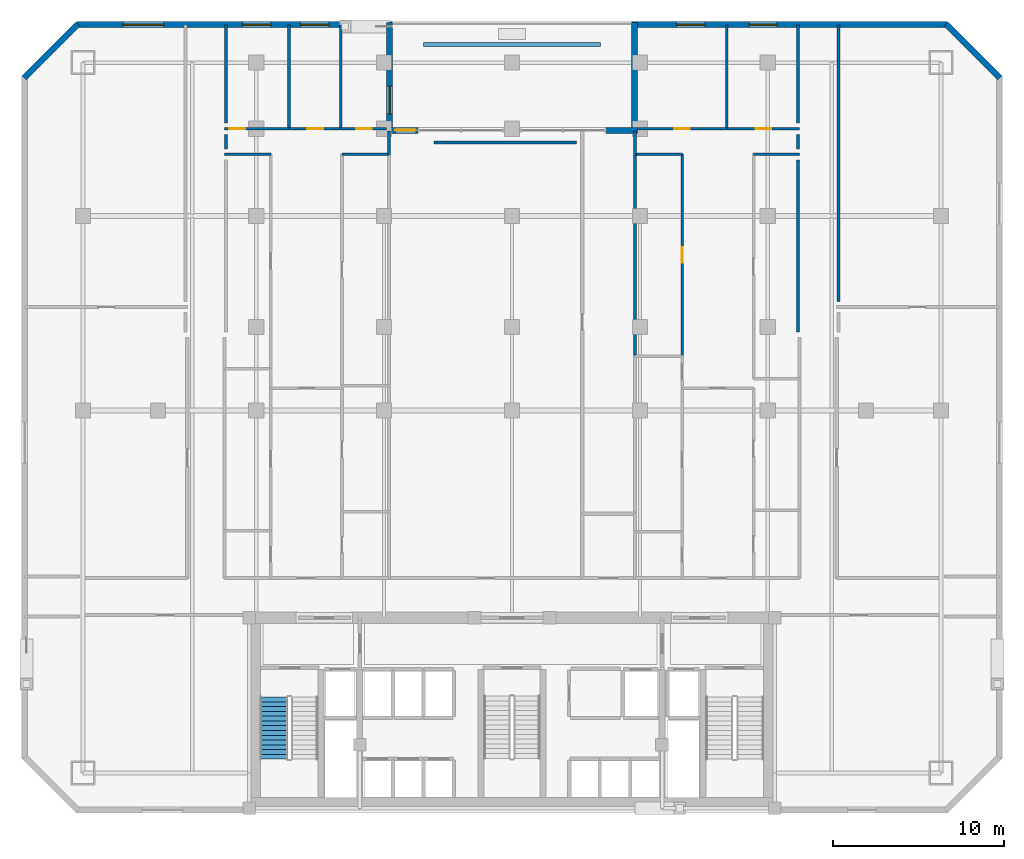
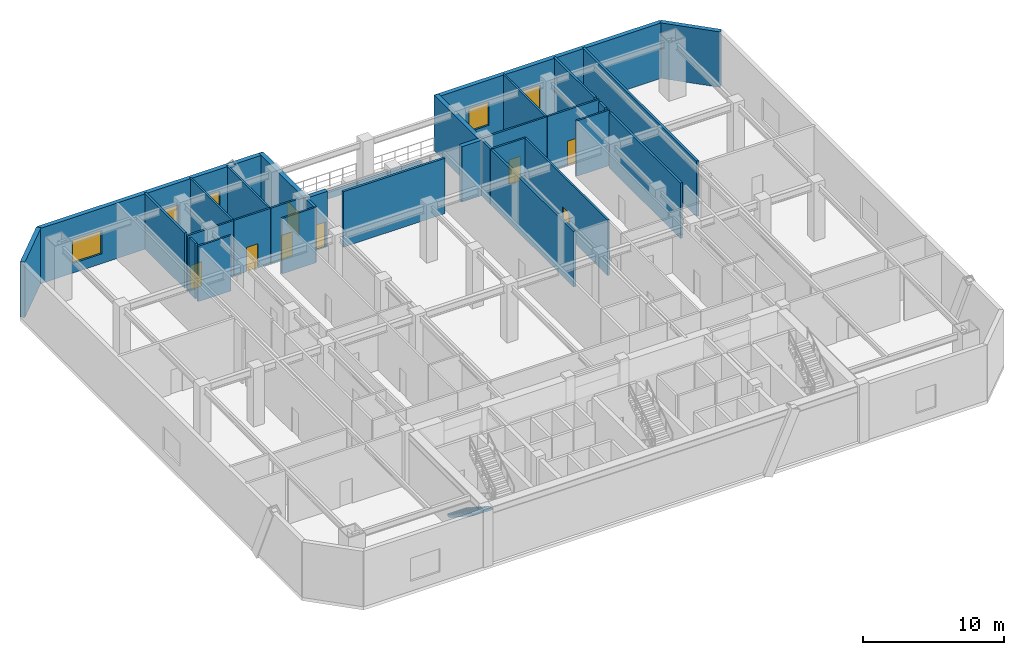
# One storey, part 10 of 12: 32 walls, 7 doors, 6 windows, 1 stair flight, 13 openings, 1 element without a shape of its own.
"""IFC4 building model written with IfcOpenShell, lengths in metres."""

from ifc_helpers import new_model, si_unit, direction, frame, frame_2d, origin, place, context, subcontext, project, spatial, polyline, rectangle, outline, extrude, material, layer, layer_set, type_object, element, fill, aggregate, save


model = new_model("IFC4")

# Units and contexts
model_context = context("Model", 3, precision=1e-05, world=origin(), true_north=direction((0.0, 1.0)))
body_context = subcontext(model_context, "Body", "Model", "MODEL_VIEW")
ifc_project = project(units=[si_unit("LENGTHUNIT", "METRE"), si_unit("AREAUNIT", "SQUARE_METRE"), si_unit("VOLUMEUNIT", "CUBIC_METRE"), si_unit("PLANEANGLEUNIT", "RADIAN"), si_unit("MASSUNIT", "GRAM", prefix="KILO")], contexts=[model_context])

# Site, building, storey
site_placement = place(None, origin())
site = spatial("IfcSite", under=ifc_project, at=site_placement, CompositionType="ELEMENT")
building_placement = place(site_placement, origin())
building = spatial("IfcBuilding", under=site, at=building_placement, Name="Ventersveld Concourse Tower", CompositionType="ELEMENT")
storey_placement = place(building_placement, frame((0.0, 0.0, 76.0)))
storey = spatial("IfcBuildingStorey", under=building, at=storey_placement, Name="L18", CompositionType="ELEMENT", Elevation=76.0)

# Walls
ifc_material_1 = material(Name="Fire-rated autoclaved aerated masonry blockwork", Category="masonry")
ifc_layer_1 = layer(ifc_material_1, 0.179931640625)
ifc_layer_set_1 = layer_set([ifc_layer_1], Name="Fire-rated autoclaved aerated masonry blockwork")
wall_type_1 = type_object("IfcWallType", Name="WL-CORR-180", PredefinedType="PARTITIONING", material=ifc_layer_set_1)
wall_1_placement = place(storey_placement, frame((47.8798828125, 29.9951171875, 0.0), z_axis=(0.0, 0.0, 1.0), x_axis=(0.0, 1.0, 0.0)))
element("IfcWall", 1, at=wall_1_placement, inside=storey, type_object=wall_type_1, Name="L18 Room Enclosure Wall SP-L18-NELNG2", PredefinedType="PARTITIONING", context=body_context, shape_type="SweptSolid", body=[
    extrude(rectangle(XDim=16.19482421875, YDim=0.179931640625, at=frame_2d((8.097412109375, 0.0))), origin(), (0.0, 0.0, 1.0), 4.800048828125),
])
wall_2_placement = place(storey_placement, frame((24.1865234375, 39.320068359375, 0.0), z_axis=(0.0, 0.0, 1.0), x_axis=(1.0, 0.0, 0.0)))
element("IfcWall", 2, at=wall_2_placement, inside=storey, type_object=wall_type_1, Name="L18 Room Enclosure Wall SP-L18-SGLNG", PredefinedType="PARTITIONING", context=body_context, shape_type="SweptSolid", body=[
    extrude(rectangle(XDim=8.348388671875, YDim=0.179931640625, at=frame_2d((4.17431640625, 0.0))), origin(), (0.0, 0.0, 1.0), 4.800048828125),
])
wall_3_placement = place(storey_placement, frame((11.97998046875, 38.945068359375, 0.0), z_axis=(0.0, 0.0, 1.0), x_axis=(0.0, 1.0, 0.0)))
element("IfcWall", 3, at=wall_3_placement, inside=storey, type_object=wall_type_1, Name="L18 Room Enclosure Wall SP-L18-18CW-LIV", PredefinedType="PARTITIONING", context=body_context, shape_type="SweptSolid", body=[
    extrude(rectangle(XDim=0.849853515625, YDim=0.179931640625, at=frame_2d((0.4248046875, 0.0))), origin(), (0.0, 0.0, 1.0), 4.800048828125),
])
wall_4_placement = place(storey_placement, frame((11.97998046875, 40.445068359375, 0.0), z_axis=(0.0, 0.0, 1.0), x_axis=(0.0, 1.0, 0.0)))
element("IfcWall", 4, at=wall_4_placement, inside=storey, type_object=wall_type_1, Name="L18 Room Enclosure Wall SP-L18-18CW-BR1", PredefinedType="PARTITIONING", context=body_context, shape_type="SweptSolid", body=[
    extrude(rectangle(XDim=5.744873046875, YDim=0.179931640625, at=frame_2d((2.87255859375, 0.0))), origin(), (0.0, 0.0, 1.0), 4.800048828125),
])
wall_5_placement = place(storey_placement, frame((45.52001953125, 39.794921875, 0.0), z_axis=(0.0, 0.0, 1.0), x_axis=(0.0, -1.0, 0.0)))
element("IfcWall", 5, at=wall_5_placement, inside=storey, type_object=wall_type_1, Name="L18 Room Enclosure Wall SP-L18-18CE-LIV", PredefinedType="PARTITIONING", context=body_context, shape_type="SweptSolid", body=[
    extrude(rectangle(XDim=0.849853515625, YDim=0.179931640625, at=frame_2d((0.4248046875, 0.0))), origin(), (0.0, 0.0, 1.0), 4.800048828125),
])
wall_6_placement = place(storey_placement, frame((45.52001953125, 38.294921875, 0.0), z_axis=(0.0, 0.0, 1.0), x_axis=(0.0, -1.0, 0.0)))
element("IfcWall", 6, at=wall_6_placement, inside=storey, type_object=wall_type_1, Name="L18 Room Enclosure Wall SP-L18-18CE-DENS", PredefinedType="PARTITIONING", context=body_context, shape_type="SweptSolid", body=[
    extrude(rectangle(XDim=10.0849609375, YDim=0.179931640625, at=frame_2d((5.04248046875, 0.0))), origin(), (0.0, 0.0, 1.0), 4.800048828125),
])
wall_7_placement = place(storey_placement, frame((45.52001953125, 46.18994140625, 0.0), z_axis=(0.0, 0.0, 1.0), x_axis=(0.0, -1.0, 0.0)))
element("IfcWall", 7, at=wall_7_placement, inside=storey, type_object=wall_type_1, Name="L18 Room Enclosure Wall SP-L18-18CE-BR2", PredefinedType="PARTITIONING", context=body_context, shape_type="SweptSolid", body=[
    extrude(rectangle(XDim=5.744873046875, YDim=0.179931640625, at=frame_2d((2.87255859375, 0.0))), origin(), (0.0, 0.0, 1.0), 4.800048828125),
])
ifc_layer_2 = layer(ifc_material_1, 0.199951171875)
ifc_layer_set_2 = layer_set([ifc_layer_2], Name="Fire-rated autoclaved aerated masonry blockwork")
wall_type_2 = type_object("IfcWallType", Name="WL-DEMISE-200", PredefinedType="PARTITIONING", material=ifc_layer_set_2)
for number, where, z_axis, x_axis, name in (
    (8, (21.5400390625, 38.614990234375, 0.0), (0.0, 0.0, 1.0), (0.0, 1.0, 0.0), "L18 Interior Partition SP-L18-SGLNG-SP-L18-18CW-LIV"),
    (9, (35.9599609375, 38.614990234375, 0.0), (0.0, 0.0, 1.0), (0.0, 1.0, 0.0), "L18 Interior Partition SP-L18-SGSTD-SP-L18-18CE-LIV"),
):
    element("IfcWall", number, at=place(storey_placement, frame(where, z_axis=z_axis, x_axis=x_axis)), inside=storey, type_object=wall_type_2, Name=name, PredefinedType="PARTITIONING", context=body_context, shape_type="SweptSolid", body=[
        extrude(rectangle(XDim=1.375, YDim=0.199951171875, at=frame_2d((0.6875, 0.0))), origin(), (0.0, 0.0, 1.0), 4.800048828125),
    ])
wall_8_placement = place(storey_placement, frame((35.9599609375, 26.8134765625, 0.0), z_axis=(0.0, 0.0, 1.0), x_axis=(0.0, 1.0, 0.0)))
element("IfcWall", 10, at=wall_8_placement, inside=storey, type_object=wall_type_2, Name="L18 Interior Partition SP-L18-SGSTD-SP-L18-18CE-SEML2", PredefinedType="PARTITIONING", context=body_context, shape_type="SweptSolid", body=[
    extrude(rectangle(XDim=11.771484375, YDim=0.199951171875, at=frame_2d((5.8857421875, 0.0))), origin(), (0.0, 0.0, 1.0), 4.800048828125),
])
ifc_material_2 = material(Name="Autoclaved aerated masonry blockwork", Category="masonry")
ifc_layer_3 = layer(ifc_material_2, 0.14990234375)
ifc_layer_set_3 = layer_set([ifc_layer_3], Name="Autoclaved aerated masonry blockwork")
wall_type_3 = type_object("IfcWallType", Name="WL-INT-150", PredefinedType="PARTITIONING", material=ifc_layer_set_3)
wall_9_placement = place(storey_placement, frame((11.885009765625, 38.6201171875, 0.0), z_axis=(0.0, 0.0, 1.0), x_axis=(1.0, 0.0, 0.0)))
element("IfcWall", 11, at=wall_9_placement, inside=storey, type_object=wall_type_3, Name="L18 Interior Partition SP-L18-18CW-LIV-SP-L18-18CW-SEML2", PredefinedType="PARTITIONING", context=body_context, shape_type="SweptSolid", body=[
    extrude(rectangle(XDim=2.727294921875, YDim=0.14990234375, at=frame_2d((1.36376953125, 0.0))), origin(), (0.0, 0.0, 1.0), 4.800048828125),
])
wall_10_placement = place(storey_placement, frame((18.7783203125, 38.6201171875, 0.0), z_axis=(0.0, 0.0, 1.0), x_axis=(1.0, 0.0, 0.0)))
element("IfcWall", 12, at=wall_10_placement, inside=storey, type_object=wall_type_3, Name="L18 Interior Partition SP-L18-18CW-LIV-SP-L18-18CW-DENS", PredefinedType="PARTITIONING", context=body_context, shape_type="SweptSolid", body=[
    extrude(rectangle(XDim=2.7666015625, YDim=0.14990234375, at=frame_2d((1.38330078125, 0.0))), origin(), (0.0, 0.0, 1.0), 4.800048828125),
])

# Wall, opening, door
wall_11_placement = place(storey_placement, frame((11.885009765625, 40.1201171875, 0.0), z_axis=(0.0, 0.0, 1.0), x_axis=(1.0, 0.0, 0.0)))
wall_11 = element("IfcWall", 13, at=wall_11_placement, inside=storey, type_object=wall_type_3, Name="L18 Interior Partition SP-L18-18CW-LIV-SP-L18-18CW-BR1", PredefinedType="PARTITIONING", context=body_context, shape_type="SweptSolid", body=[
    extrude(rectangle(XDim=3.7958984375, YDim=0.14990234375, at=frame_2d((1.89794921875, 0.0))), origin(), (0.0, 0.0, 1.0), 4.800048828125),
])
opening_1_placement = place(wall_11_placement, frame((0.29931640625, 0.0, 0.0)))
opening_1 = element("IfcOpeningElement", 14, at=opening_1_placement, cuts=wall_11, Name="Opening ID1", PredefinedType="OPENING", context=body_context, shape_type="SweptSolid", body=[
    extrude(rectangle(XDim=0.919921875, YDim=2.10009765625, at=frame_2d((0.4599609375, 1.050048828125))), frame((0.0, 0.0849609375, 0.0), z_axis=(0.0, -1.0, 0.0), x_axis=(1.0, 0.0, 0.0)), (0.0, 0.0, 1.0), 0.169921875),
])
ifc_material_3 = material(Name="Solid-core hardwood veneer timber", Category="wood")
door_type_1 = type_object("IfcDoorType", Name="DR-ROOM-092", OperationType="NOTDEFINED", PredefinedType="DOOR", material=ifc_material_3)
door_1_placement = place(opening_1_placement, origin())
door_1 = element("IfcDoor", 15, at=door_1_placement, inside=storey, type_object=door_type_1, Name="L18 Interior Door SP-L18-18CW-LIV to SP-L18-18CW-BR1 (D-L18-0861)", OperationType="SINGLE_SWING_LEFT", OverallHeight=2.10009765625, OverallWidth=0.919921875, PredefinedType="DOOR", context=body_context, shape_type="SweptSolid", body=[
    extrude(rectangle(XDim=0.919921875, YDim=2.10009765625, at=frame_2d((0.4599609375, 1.050048828125))), frame((0.0, 0.02490234375, 0.0), z_axis=(0.0, -1.0, 0.0), x_axis=(1.0, 0.0, 0.0)), (0.0, 0.0, 1.0), 0.050048828125),
])
fill(opening_1, door_1)

wall_12_placement = place(storey_placement, frame((15.7109375, 40.1201171875, 0.0), z_axis=(0.0, 0.0, 1.0), x_axis=(1.0, 0.0, 0.0)))
wall_12 = element("IfcWall", 16, at=wall_12_placement, inside=storey, type_object=wall_type_3, Name="L18 Interior Partition SP-L18-18CW-LIV-SP-L18-18CW-BR2", PredefinedType="PARTITIONING", context=body_context, shape_type="SweptSolid", body=[
    extrude(rectangle(XDim=2.9970703125, YDim=0.14990234375, at=frame_2d((1.49853515625, 0.0))), origin(), (0.0, 0.0, 1.0), 4.800048828125),
])
opening_2_placement = place(wall_12_placement, frame((1.03857421875, 0.0, 0.0)))
opening_2 = element("IfcOpeningElement", 17, at=opening_2_placement, cuts=wall_12, Name="Opening ID1", PredefinedType="OPENING", context=body_context, shape_type="SweptSolid", body=[
    extrude(rectangle(XDim=0.919921875, YDim=2.10009765625, at=frame_2d((0.4599609375, 1.050048828125))), frame((0.0, 0.0849609375, 0.0), z_axis=(0.0, -1.0, 0.0), x_axis=(1.0, 0.0, 0.0)), (0.0, 0.0, 1.0), 0.169921875),
])
door_2_placement = place(opening_2_placement, origin())
door_2 = element("IfcDoor", 18, at=door_2_placement, inside=storey, type_object=door_type_1, Name="L18 Interior Door SP-L18-18CW-LIV to SP-L18-18CW-BR2 (D-L18-0862)", OperationType="SINGLE_SWING_RIGHT", OverallHeight=2.10009765625, OverallWidth=0.919921875, PredefinedType="DOOR", context=body_context, shape_type="SweptSolid", body=[
    extrude(rectangle(XDim=0.919921875, YDim=2.10009765625, at=frame_2d((0.4599609375, 1.050048828125))), frame((0.0, 0.02490234375, 0.0), z_axis=(0.0, -1.0, 0.0), x_axis=(1.0, 0.0, 0.0)), (0.0, 0.0, 1.0), 0.050048828125),
])
fill(opening_2, door_2)

wall_13_placement = place(storey_placement, frame((18.73779296875, 40.1201171875, 0.0), z_axis=(0.0, 0.0, 1.0), x_axis=(1.0, 0.0, 0.0)))
wall_13 = element("IfcWall", 19, at=wall_13_placement, inside=storey, type_object=wall_type_3, Name="L18 Interior Partition SP-L18-18CW-LIV-SP-L18-18CW-BR3", PredefinedType="PARTITIONING", context=body_context, shape_type="SweptSolid", body=[
    extrude(rectangle(XDim=2.655517578125, YDim=0.14990234375, at=frame_2d((1.32763671875, 0.0))), origin(), (0.0, 0.0, 1.0), 4.800048828125),
])
opening_3_placement = place(wall_13_placement, frame((0.86767578125, 0.0, 0.0)))
opening_3 = element("IfcOpeningElement", 20, at=opening_3_placement, cuts=wall_13, Name="Opening ID1", PredefinedType="OPENING", context=body_context, shape_type="SweptSolid", body=[
    extrude(rectangle(XDim=0.919921875, YDim=2.10009765625, at=frame_2d((0.4599609375, 1.050048828125))), frame((0.0, 0.0849609375, 0.0), z_axis=(0.0, -1.0, 0.0), x_axis=(1.0, 0.0, 0.0)), (0.0, 0.0, 1.0), 0.169921875),
])
door_3_placement = place(opening_3_placement, origin())
door_3 = element("IfcDoor", 21, at=door_3_placement, inside=storey, type_object=door_type_1, Name="L18 Interior Door SP-L18-18CW-LIV to SP-L18-18CW-BR3 (D-L18-0863)", OperationType="SINGLE_SWING_LEFT", OverallHeight=2.10009765625, OverallWidth=0.919921875, PredefinedType="DOOR", context=body_context, shape_type="SweptSolid", body=[
    extrude(rectangle(XDim=0.919921875, YDim=2.10009765625, at=frame_2d((0.4599609375, 1.050048828125))), frame((0.0, 0.02490234375, 0.0), z_axis=(0.0, -1.0, 0.0), x_axis=(1.0, 0.0, 0.0)), (0.0, 0.0, 1.0), 0.050048828125),
])
fill(opening_3, door_3)

# Walls
for number, where, z_axis, x_axis, name in (
    (22, (15.676025390625, 40.114990234375, 0.0), (0.0, 0.0, 1.0), (0.0, 1.0, 0.0), "L18 Interior Partition SP-L18-18CW-BR1-SP-L18-18CW-BR2"),
    (23, (18.702880859375, 40.114990234375, 0.0), (0.0, 0.0, 1.0), (0.0, 1.0, 0.0), "L18 Interior Partition SP-L18-18CW-BR2-SP-L18-18CW-BR3"),
):
    element("IfcWall", number, at=place(storey_placement, frame(where, z_axis=z_axis, x_axis=x_axis)), inside=storey, type_object=wall_type_3, Name=name, PredefinedType="PARTITIONING", context=body_context, shape_type="SweptSolid", body=[
        extrude(rectangle(XDim=6.074951171875, YDim=0.14990234375, at=frame_2d((3.03759765625, 0.0))), origin(), (0.0, 0.0, 1.0), 4.800048828125),
    ])

# Wall, opening, door
wall_14_placement = place(storey_placement, frame((38.736328125, 26.8134765625, 0.0), z_axis=(0.0, 0.0, 1.0), x_axis=(0.0, 1.0, 0.0)))
wall_14 = element("IfcWall", 24, at=wall_14_placement, inside=storey, type_object=wall_type_3, Name="L18 Interior Partition SP-L18-18CE-LIV-SP-L18-18CE-SEML2", PredefinedType="PARTITIONING", context=body_context, shape_type="SweptSolid", body=[
    extrude(rectangle(XDim=11.8115234375, YDim=0.14990234375, at=frame_2d((5.90576171875, 0.0))), origin(), (0.0, 0.0, 1.0), 4.800048828125),
])
opening_4_placement = place(wall_14_placement, frame((5.44580078125, 0.0, 0.0)))
opening_4 = element("IfcOpeningElement", 25, at=opening_4_placement, cuts=wall_14, Name="Opening ID1", PredefinedType="OPENING", context=body_context, shape_type="SweptSolid", body=[
    extrude(rectangle(XDim=0.919921875, YDim=2.10009765625, at=frame_2d((0.4599609375, 1.050048828125))), frame((0.0, 0.0849609375, 0.0), z_axis=(0.0, -1.0, 0.0), x_axis=(1.0, 0.0, 0.0)), (0.0, 0.0, 1.0), 0.169921875),
])
door_4_placement = place(opening_4_placement, origin())
door_4 = element("IfcDoor", 26, at=door_4_placement, inside=storey, type_object=door_type_1, Name="L18 Interior Door SP-L18-18CE-LIV to SP-L18-18CE-SEML2 (D-L18-0870)", OperationType="SINGLE_SWING_RIGHT", OverallHeight=2.10009765625, OverallWidth=0.919921875, PredefinedType="DOOR", context=body_context, shape_type="SweptSolid", body=[
    extrude(rectangle(XDim=0.919921875, YDim=2.10009765625, at=frame_2d((0.4599609375, 1.050048828125))), frame((0.0, 0.02490234375, 0.0), z_axis=(0.0, -1.0, 0.0), x_axis=(1.0, 0.0, 0.0)), (0.0, 0.0, 1.0), 0.050048828125),
])
fill(opening_4, door_4)

# Walls
wall_15_placement = place(storey_placement, frame((35.955078125, 38.6201171875, 0.0), z_axis=(0.0, 0.0, 1.0), x_axis=(1.0, 0.0, 0.0)))
element("IfcWall", 27, at=wall_15_placement, inside=storey, type_object=wall_type_3, Name="L18 Interior Partition SP-L18-18CE-LIV-SP-L18-18CE-SEML2", PredefinedType="PARTITIONING", context=body_context, shape_type="SweptSolid", body=[
    extrude(rectangle(XDim=2.7861328125, YDim=0.14990234375, at=frame_2d((1.39306640625, 0.0))), origin(), (0.0, 0.0, 1.0), 4.800048828125),
])
wall_16_placement = place(storey_placement, frame((42.907470703125, 38.6201171875, 0.0), z_axis=(0.0, 0.0, 1.0), x_axis=(1.0, 0.0, 0.0)))
element("IfcWall", 28, at=wall_16_placement, inside=storey, type_object=wall_type_3, Name="L18 Interior Partition SP-L18-18CE-LIV-SP-L18-18CE-DENS", PredefinedType="PARTITIONING", context=body_context, shape_type="SweptSolid", body=[
    extrude(rectangle(XDim=2.70751953125, YDim=0.14990234375, at=frame_2d((1.353759765625, 0.0))), origin(), (0.0, 0.0, 1.0), 4.800048828125),
])

# Wall, opening, door
wall_17_placement = place(storey_placement, frame((36.106689453125, 40.1201171875, 0.0), z_axis=(0.0, 0.0, 1.0), x_axis=(1.0, 0.0, 0.0)))
wall_17 = element("IfcWall", 29, at=wall_17_placement, inside=storey, type_object=wall_type_3, Name="L18 Interior Partition SP-L18-18CE-LIV-SP-L18-18CE-BR1", PredefinedType="PARTITIONING", context=body_context, shape_type="SweptSolid", body=[
    extrude(rectangle(XDim=5.229736328125, YDim=0.14990234375, at=frame_2d((2.61474609375, 0.0))), origin(), (0.0, 0.0, 1.0), 4.800048828125),
])
opening_5_placement = place(wall_17_placement, frame((2.15478515625, 0.0, 0.0)))
opening_5 = element("IfcOpeningElement", 30, at=opening_5_placement, cuts=wall_17, Name="Opening ID1", PredefinedType="OPENING", context=body_context, shape_type="SweptSolid", body=[
    extrude(rectangle(XDim=0.919921875, YDim=2.10009765625, at=frame_2d((0.4599609375, 1.050048828125))), frame((0.0, 0.0849609375, 0.0), z_axis=(0.0, -1.0, 0.0), x_axis=(1.0, 0.0, 0.0)), (0.0, 0.0, 1.0), 0.169921875),
])
door_5_placement = place(opening_5_placement, origin())
door_5 = element("IfcDoor", 31, at=door_5_placement, inside=storey, type_object=door_type_1, Name="L18 Interior Door SP-L18-18CE-LIV to SP-L18-18CE-BR1 (D-L18-0872)", OperationType="SINGLE_SWING_RIGHT", OverallHeight=2.10009765625, OverallWidth=0.919921875, PredefinedType="DOOR", context=body_context, shape_type="SweptSolid", body=[
    extrude(rectangle(XDim=0.919921875, YDim=2.10009765625, at=frame_2d((0.4599609375, 1.050048828125))), frame((0.0, 0.02490234375, 0.0), z_axis=(0.0, -1.0, 0.0), x_axis=(1.0, 0.0, 0.0)), (0.0, 0.0, 1.0), 0.050048828125),
])
fill(opening_5, door_5)

wall_18_placement = place(storey_placement, frame((41.366455078125, 40.1201171875, 0.0), z_axis=(0.0, 0.0, 1.0), x_axis=(1.0, 0.0, 0.0)))
wall_18 = element("IfcWall", 32, at=wall_18_placement, inside=storey, type_object=wall_type_3, Name="L18 Interior Partition SP-L18-18CE-LIV-SP-L18-18CE-BR2", PredefinedType="PARTITIONING", context=body_context, shape_type="SweptSolid", body=[
    extrude(rectangle(XDim=4.24853515625, YDim=0.14990234375, at=frame_2d((2.124267578125, 0.0))), origin(), (0.0, 0.0, 1.0), 4.800048828125),
])
opening_6_placement = place(wall_18_placement, frame((1.664306640625, 0.0, 0.0)))
opening_6 = element("IfcOpeningElement", 33, at=opening_6_placement, cuts=wall_18, Name="Opening ID1", PredefinedType="OPENING", context=body_context, shape_type="SweptSolid", body=[
    extrude(rectangle(XDim=0.919921875, YDim=2.10009765625, at=frame_2d((0.4599609375, 1.050048828125))), frame((0.0, 0.0849609375, 0.0), z_axis=(0.0, -1.0, 0.0), x_axis=(1.0, 0.0, 0.0)), (0.0, 0.0, 1.0), 0.169921875),
])
door_6_placement = place(opening_6_placement, origin())
door_6 = element("IfcDoor", 34, at=door_6_placement, inside=storey, type_object=door_type_1, Name="L18 Interior Door SP-L18-18CE-LIV to SP-L18-18CE-BR2 (D-L18-0873)", OperationType="SINGLE_SWING_LEFT", OverallHeight=2.10009765625, OverallWidth=0.919921875, PredefinedType="DOOR", context=body_context, shape_type="SweptSolid", body=[
    extrude(rectangle(XDim=0.919921875, YDim=2.10009765625, at=frame_2d((0.4599609375, 1.050048828125))), frame((0.0, 0.02490234375, 0.0), z_axis=(0.0, -1.0, 0.0), x_axis=(1.0, 0.0, 0.0)), (0.0, 0.0, 1.0), 0.050048828125),
])
fill(opening_6, door_6)

# Walls
wall_19_placement = place(storey_placement, frame((41.33154296875, 40.114990234375, 0.0), z_axis=(0.0, 0.0, 1.0), x_axis=(0.0, 1.0, 0.0)))
element("IfcWall", 35, at=wall_19_placement, inside=storey, type_object=wall_type_3, Name="L18 Interior Partition SP-L18-18CE-BR1-SP-L18-18CE-BR2", PredefinedType="PARTITIONING", context=body_context, shape_type="SweptSolid", body=[
    extrude(rectangle(XDim=6.074951171875, YDim=0.14990234375, at=frame_2d((3.03759765625, 0.0))), origin(), (0.0, 0.0, 1.0), 4.800048828125),
])
ifc_material_4 = material(Name="Precast concrete C45/55", Category="concrete")
ifc_layer_4 = layer(ifc_material_4, 0.239990234375)
ifc_layer_set_4 = layer_set([ifc_layer_4], Name="Precast concrete C45/55")
wall_type_4 = type_object("IfcWallType", Name="WL-KERB-240", PredefinedType="PARAPET", material=ifc_layer_set_4)
wall_20_placement = place(storey_placement, frame((23.550048828125, 45.050048828125, 0.0), z_axis=(0.0, 0.0, 1.0), x_axis=(1.0, 0.0, 0.0)))
element("IfcWall", 36, at=wall_20_placement, inside=storey, type_object=wall_type_4, Name="L18 Landscaped Terrace Planter Kerb SKYGARDEN", PredefinedType="PARAPET", context=body_context, shape_type="SweptSolid", body=[
    extrude(rectangle(XDim=10.39990234375, YDim=0.239990234375, at=frame_2d((5.199951171875, 0.0))), origin(), (0.0, 0.0, 1.0), 0.550048828125),
])
ifc_layer_5 = layer(ifc_material_4, 0.35009765625)
ifc_layer_set_5 = layer_set([ifc_layer_5], Name="Precast concrete C45/55")
wall_type_5 = type_object("IfcWallType", Name="WL-PREC-350", PredefinedType="SOLIDWALL", material=ifc_layer_set_5)
wall_21_placement = place(storey_placement, frame((57.347900390625, 43.1044921875, 0.0), z_axis=(0.0, 0.0, 1.0), x_axis=(-0.707079321262, 0.707134240044, 0.0)))
element("IfcWall", 37, at=wall_21_placement, inside=storey, type_object=wall_type_5, Name="L18 Highveld Precast Facade Wall E04", PredefinedType="SOLIDWALL", context=body_context, shape_type="SweptSolid", body=[
    extrude(rectangle(XDim=4.445556640625, YDim=0.35009765625, at=frame_2d((2.22265625, 0.0))), origin(), (0.0, 0.0, 1.0), 4.800048828125),
])

# Wall, openings, windows
wall_22_placement = place(storey_placement, frame((54.260009765625, 46.22509765625, 0.0), z_axis=(0.0, 0.0, 1.0), x_axis=(-1.0, 0.0, 0.0)))
wall_22 = element("IfcWall", 38, at=wall_22_placement, inside=storey, type_object=wall_type_5, Name="L18 Highveld Precast Facade Wall E05", PredefinedType="SOLIDWALL", context=body_context, shape_type="SweptSolid", body=[
    extrude(rectangle(XDim=18.469970703125, YDim=0.35009765625, at=frame_2d((9.23486328125, 0.0))), origin(), (0.0, 0.0, 1.0), 4.800048828125),
])
opening_7_placement = place(wall_22_placement, frame((14.206787109375, 0.0, 0.8798828125)))
opening_7 = element("IfcOpeningElement", 39, at=opening_7_placement, cuts=wall_22, Name="Opening W6", PredefinedType="OPENING", context=body_context, shape_type="SweptSolid", body=[
    extrude(rectangle(XDim=1.64990234375, YDim=2.0, at=frame_2d((0.824951171875, 1.0))), frame((0.0, 0.18505859375, 0.0), z_axis=(0.0, -1.0, 0.0), x_axis=(1.0, 0.0, 0.0)), (0.0, 0.0, 1.0), 0.3701171875),
])
opening_8_placement = place(wall_22_placement, frame((9.964111328125, 0.0, 0.8798828125)))
opening_8 = element("IfcOpeningElement", 40, at=opening_8_placement, cuts=wall_22, Name="Opening W6", PredefinedType="OPENING", context=body_context, shape_type="SweptSolid", body=[
    extrude(rectangle(XDim=1.64990234375, YDim=2.0, at=frame_2d((0.824951171875, 1.0))), frame((0.0, 0.18505859375, 0.0), z_axis=(0.0, -1.0, 0.0), x_axis=(1.0, 0.0, 0.0)), (0.0, 0.0, 1.0), 0.3701171875),
])
ifc_material_5 = material(Name="Tempered acoustic Low-E IGU", Category="glass")
window_type_1 = type_object("IfcWindowType", Name="WIN-165x200", PartitioningType="SINGLE_PANEL", PredefinedType="WINDOW", material=ifc_material_5)
window_1_placement = place(opening_7_placement, origin())
window_1 = element("IfcWindow", 41, at=window_1_placement, inside=storey, type_object=window_type_1, Name="L18 Punched Low-E Window W-0187", OverallHeight=2.0, OverallWidth=1.64990234375, PartitioningType="SINGLE_PANEL", PredefinedType="WINDOW", context=body_context, shape_type="SweptSolid", body=[
    extrude(rectangle(XDim=1.64990234375, YDim=2.0, at=frame_2d((0.824951171875, 1.0))), frame((0.0, 0.030029296875, 0.0), z_axis=(0.0, -1.0, 0.0), x_axis=(1.0, 0.0, 0.0)), (0.0, 0.0, 1.0), 0.06005859375),
])
fill(opening_7, window_1)
window_2_placement = place(opening_8_placement, origin())
window_2 = element("IfcWindow", 42, at=window_2_placement, inside=storey, type_object=window_type_1, Name="L18 Punched Low-E Window W-0188", OverallHeight=2.0, OverallWidth=1.64990234375, PartitioningType="SINGLE_PANEL", PredefinedType="WINDOW", context=body_context, shape_type="SweptSolid", body=[
    extrude(rectangle(XDim=1.64990234375, YDim=2.0, at=frame_2d((0.824951171875, 1.0))), frame((0.0, 0.030029296875, 0.0), z_axis=(0.0, -1.0, 0.0), x_axis=(1.0, 0.0, 0.0)), (0.0, 0.0, 1.0), 0.06005859375),
])
fill(opening_8, window_2)

# Wall
wall_23_placement = place(storey_placement, frame((35.925048828125, 46.360107421875, 0.0), z_axis=(0.0, 0.0, 1.0), x_axis=(0.0, -1.0, 0.0)))
element("IfcWall", 43, at=wall_23_placement, inside=storey, type_object=wall_type_5, Name="L18 Highveld Precast Facade Wall E06", PredefinedType="SOLIDWALL", context=body_context, shape_type="SweptSolid", body=[
    extrude(rectangle(XDim=6.16015625, YDim=0.35009765625, at=frame_2d((3.080078125, 0.0))), origin(), (0.0, 0.0, 1.0), 4.800048828125),
])

# Wall, opening, door
wall_24_placement = place(storey_placement, frame((21.39990234375, 40.02490234375, 0.0), z_axis=(0.0, 0.0, 1.0), x_axis=(1.0, 0.0, 0.0)))
wall_24 = element("IfcWall", 44, at=wall_24_placement, inside=storey, type_object=wall_type_5, Name="L18 Sky Garden West Pier", PredefinedType="SOLIDWALL", context=body_context, shape_type="SweptSolid", body=[
    extrude(rectangle(XDim=1.85009765625, YDim=0.35009765625, at=frame_2d((0.925048828125, 0.0))), origin(), (0.0, 0.0, 1.0), 4.800048828125),
])
opening_9_placement = place(wall_24_placement, frame((0.510009765625, 0.0, 0.0)))
opening_9 = element("IfcOpeningElement", 45, at=opening_9_placement, cuts=wall_24, Name="Opening TD1", PredefinedType="OPENING", context=body_context, shape_type="SweptSolid", body=[
    extrude(rectangle(XDim=1.199951171875, YDim=2.199951171875, at=frame_2d((0.60009765625, 1.10009765625))), frame((0.0, 0.18505859375, 0.0), z_axis=(0.0, -1.0, 0.0), x_axis=(1.0, 0.0, 0.0)), (0.0, 0.0, 1.0), 0.3701171875),
])
ifc_material_6 = material(Name="Anodised aluminium EN AW-6063-T6", Category="aluminium")
door_type_2 = type_object("IfcDoorType", Name="DR-TERR-120", OperationType="NOTDEFINED", PredefinedType="DOOR", material=ifc_material_6)
door_7_placement = place(opening_9_placement, origin())
door_7 = element("IfcDoor", 46, at=door_7_placement, inside=storey, type_object=door_type_2, Name="L18 Sky Garden Terrace Door TD-L18-01", OperationType="SINGLE_SWING_LEFT", OverallHeight=2.199951171875, OverallWidth=1.199951171875, PredefinedType="DOOR", context=body_context, shape_type="SweptSolid", body=[
    extrude(rectangle(XDim=1.199951171875, YDim=2.199951171875, at=frame_2d((0.60009765625, 1.10009765625))), frame((0.0, 0.02490234375, 0.0), z_axis=(0.0, -1.0, 0.0), x_axis=(1.0, 0.0, 0.0)), (0.0, 0.0, 1.0), 0.050048828125),
])
fill(opening_9, door_7)

# Wall
wall_25_placement = place(storey_placement, frame((34.25, 40.02490234375, 0.0), z_axis=(0.0, 0.0, 1.0), x_axis=(1.0, 0.0, 0.0)))
element("IfcWall", 47, at=wall_25_placement, inside=storey, type_object=wall_type_5, Name="L18 Sky Garden East Pier", PredefinedType="SOLIDWALL", context=body_context, shape_type="SweptSolid", body=[
    extrude(rectangle(XDim=1.85009765625, YDim=0.35009765625, at=frame_2d((0.925048828125, 0.0))), origin(), (0.0, 0.0, 1.0), 4.800048828125),
])

# Wall, opening, window
wall_26_placement = place(storey_placement, frame((21.574951171875, 40.199951171875, 0.0), z_axis=(0.0, 0.0, 1.0), x_axis=(0.0, 1.0, 0.0)))
wall_26 = element("IfcWall", 48, at=wall_26_placement, inside=storey, type_object=wall_type_5, Name="L18 Highveld Precast Facade Wall E08", PredefinedType="SOLIDWALL", context=body_context, shape_type="SweptSolid", body=[
    extrude(rectangle(XDim=6.16015625, YDim=0.35009765625, at=frame_2d((3.080078125, 0.0))), origin(), (0.0, 0.0, 1.0), 4.800048828125),
])
opening_10_placement = place(wall_26_placement, frame((0.77001953125, 0.0, 0.8798828125)))
opening_10 = element("IfcOpeningElement", 49, at=opening_10_placement, cuts=wall_26, Name="Opening W6", PredefinedType="OPENING", context=body_context, shape_type="SweptSolid", body=[
    extrude(rectangle(XDim=1.64990234375, YDim=2.0, at=frame_2d((0.824951171875, 1.0))), frame((0.0, 0.18505859375, 0.0), z_axis=(0.0, -1.0, 0.0), x_axis=(1.0, 0.0, 0.0)), (0.0, 0.0, 1.0), 0.3701171875),
])
window_3_placement = place(opening_10_placement, origin())
window_3 = element("IfcWindow", 50, at=window_3_placement, inside=storey, type_object=window_type_1, Name="L18 Punched Low-E Window W-0186", OverallHeight=2.0, OverallWidth=1.64990234375, PartitioningType="SINGLE_PANEL", PredefinedType="WINDOW", context=body_context, shape_type="SweptSolid", body=[
    extrude(rectangle(XDim=1.64990234375, YDim=2.0, at=frame_2d((0.824951171875, 1.0))), frame((0.0, 0.030029296875, 0.0), z_axis=(0.0, -1.0, 0.0), x_axis=(1.0, 0.0, 0.0)), (0.0, 0.0, 1.0), 0.06005859375),
])
fill(opening_10, window_3)

# Wall, openings, windows
wall_27_placement = place(storey_placement, frame((21.7099609375, 46.22509765625, 0.0), z_axis=(0.0, 0.0, 1.0), x_axis=(-1.0, 0.0, 0.0)))
wall_27 = element("IfcWall", 51, at=wall_27_placement, inside=storey, type_object=wall_type_5, Name="L18 Highveld Precast Facade Wall E09", PredefinedType="SOLIDWALL", context=body_context, shape_type="SweptSolid", body=[
    extrude(rectangle(XDim=18.469970703125, YDim=0.35009765625, at=frame_2d((9.23486328125, 0.0))), origin(), (0.0, 0.0, 1.0), 4.800048828125),
])
opening_11_placement = place(wall_27_placement, frame((13.367431640625, 0.0, 0.85009765625)))
opening_11 = element("IfcOpeningElement", 52, at=opening_11_placement, cuts=wall_27, Name="Opening W5", PredefinedType="OPENING", context=body_context, shape_type="SweptSolid", body=[
    extrude(rectangle(XDim=2.39990234375, YDim=2.0, at=frame_2d((1.199951171875, 1.0))), frame((0.0, 0.18505859375, 0.0), z_axis=(0.0, -1.0, 0.0), x_axis=(1.0, 0.0, 0.0)), (0.0, 0.0, 1.0), 0.3701171875),
])
opening_12_placement = place(wall_27_placement, frame((7.10205078125, 0.0, 0.8798828125)))
opening_12 = element("IfcOpeningElement", 53, at=opening_12_placement, cuts=wall_27, Name="Opening W6", PredefinedType="OPENING", context=body_context, shape_type="SweptSolid", body=[
    extrude(rectangle(XDim=1.64990234375, YDim=2.0, at=frame_2d((0.824951171875, 1.0))), frame((0.0, 0.18505859375, 0.0), z_axis=(0.0, -1.0, 0.0), x_axis=(1.0, 0.0, 0.0)), (0.0, 0.0, 1.0), 0.3701171875),
])
opening_13_placement = place(wall_27_placement, frame((3.695556640625, 0.0, 0.8798828125)))
opening_13 = element("IfcOpeningElement", 54, at=opening_13_placement, cuts=wall_27, Name="Opening W6", PredefinedType="OPENING", context=body_context, shape_type="SweptSolid", body=[
    extrude(rectangle(XDim=1.64990234375, YDim=2.0, at=frame_2d((0.824951171875, 1.0))), frame((0.0, 0.18505859375, 0.0), z_axis=(0.0, -1.0, 0.0), x_axis=(1.0, 0.0, 0.0)), (0.0, 0.0, 1.0), 0.3701171875),
])
window_4_placement = place(opening_12_placement, origin())
window_4 = element("IfcWindow", 55, at=window_4_placement, inside=storey, type_object=window_type_1, Name="L18 Punched Low-E Window W-0184", OverallHeight=2.0, OverallWidth=1.64990234375, PartitioningType="SINGLE_PANEL", PredefinedType="WINDOW", context=body_context, shape_type="SweptSolid", body=[
    extrude(rectangle(XDim=1.64990234375, YDim=2.0, at=frame_2d((0.824951171875, 1.0))), frame((0.0, 0.030029296875, 0.0), z_axis=(0.0, -1.0, 0.0), x_axis=(1.0, 0.0, 0.0)), (0.0, 0.0, 1.0), 0.06005859375),
])
fill(opening_12, window_4)
window_5_placement = place(opening_13_placement, origin())
window_5 = element("IfcWindow", 56, at=window_5_placement, inside=storey, type_object=window_type_1, Name="L18 Punched Low-E Window W-0185", OverallHeight=2.0, OverallWidth=1.64990234375, PartitioningType="SINGLE_PANEL", PredefinedType="WINDOW", context=body_context, shape_type="SweptSolid", body=[
    extrude(rectangle(XDim=1.64990234375, YDim=2.0, at=frame_2d((0.824951171875, 1.0))), frame((0.0, 0.030029296875, 0.0), z_axis=(0.0, -1.0, 0.0), x_axis=(1.0, 0.0, 0.0)), (0.0, 0.0, 1.0), 0.06005859375),
])
fill(opening_13, window_5)
window_type_2 = type_object("IfcWindowType", Name="WIN-240x210", PartitioningType="SINGLE_PANEL", PredefinedType="WINDOW", material=ifc_material_5)
window_6_placement = place(opening_11_placement, origin())
window_6 = element("IfcWindow", 57, at=window_6_placement, inside=storey, type_object=window_type_2, Name="L18 Punched Low-E Window W-0181", OverallHeight=2.0, OverallWidth=2.39990234375, PartitioningType="SINGLE_PANEL", PredefinedType="WINDOW", context=body_context, shape_type="SweptSolid", body=[
    extrude(rectangle(XDim=2.39990234375, YDim=2.0, at=frame_2d((1.199951171875, 1.0))), frame((0.0, 0.030029296875, 0.0), z_axis=(0.0, -1.0, 0.0), x_axis=(1.0, 0.0, 0.0)), (0.0, 0.0, 1.0), 0.06005859375),
])
fill(opening_11, window_6)

# Wall
wall_28_placement = place(storey_placement, frame((3.29541015625, 46.248046875, 0.0), z_axis=(0.0, 0.0, 1.0), x_axis=(-0.707079321262, -0.707134240044, 0.0)))
element("IfcWall", 58, at=wall_28_placement, inside=storey, type_object=wall_type_5, Name="L18 Highveld Precast Facade Wall E10", PredefinedType="SOLIDWALL", context=body_context, shape_type="SweptSolid", body=[
    extrude(rectangle(XDim=4.445556640625, YDim=0.35009765625, at=frame_2d((2.22265625, 0.0))), origin(), (0.0, 0.0, 1.0), 4.800048828125),
])

# Stair, stair flight
ifc_material_7 = material(Name="Concrete C50/60", Category="concrete")
stair_type = type_object("IfcStairType", Name="ST-DOG-160", PredefinedType="HALF_TURN_STAIR", material=ifc_material_7)
stair_placement = place(storey_placement, origin())
stair = element("IfcStair", 59, at=stair_placement, inside=storey, type_object=stair_type, Name="L18 Protected Tower Escape Stair ST-01", PredefinedType="HALF_TURN_STAIR")
stair_flight_type = type_object("IfcStairFlightType", Name="STF-RC-160", PredefinedType="STRAIGHT", material=ifc_material_7)
stair_flight_placement = place(storey_placement, frame((14.780029296875, 6.800048828125, 0.0), z_axis=(0.0, 0.0, 1.0), x_axis=(0.0, -1.0, 0.0)))
stair_flight = element("IfcStairFlight", 60, at=stair_flight_placement, type_object=stair_flight_type, Name="ST-01 flight 1", NumberOfRisers=14, NumberOfTreads=13, PredefinedType="STRAIGHT", RiserHeight=0.180357143, TreadLength=0.28, context=body_context, shape_type="SweptSolid", body=[
    extrude(outline(polyline([(0.0, 0.0), (0.0, 0.180419921875), (0.280029296875, 0.180419921875), (0.280029296875, 0.360595703125), (0.56005859375, 0.360595703125), (0.56005859375, 0.541015625), (0.840087890625, 0.541015625), (0.840087890625, 0.721435546875), (1.1201171875, 0.721435546875), (1.1201171875, 0.90185546875), (1.39990234375, 0.90185546875), (1.39990234375, 1.08203125), (1.679931640625, 1.08203125), (1.679931640625, 1.262451171875), (1.9599609375, 1.262451171875), (1.9599609375, 1.44287109375), (2.239990234375, 1.44287109375), (2.239990234375, 1.623291015625), (2.52001953125, 1.623291015625), (2.52001953125, 1.803466796875), (2.800048828125, 1.803466796875), (2.800048828125, 1.98388671875), (3.080078125, 1.98388671875), (3.080078125, 2.164306640625), (3.360107421875, 2.164306640625), (3.360107421875, 2.3447265625), (3.639892578125, 2.3447265625), (3.639892578125, 2.52490234375), (3.639892578125, 2.166259765625), (0.27685546875, 0.0), (0.0, 0.0)])), frame((0.0, 0.800048828125, 0.0), z_axis=(0.0, -1.0, 0.0), x_axis=(1.0, 0.0, 0.0)), (0.0, 0.0, 1.0), 1.60009765625),
])
aggregate(stair, [stair_flight])

save(model, "model.ifc")
